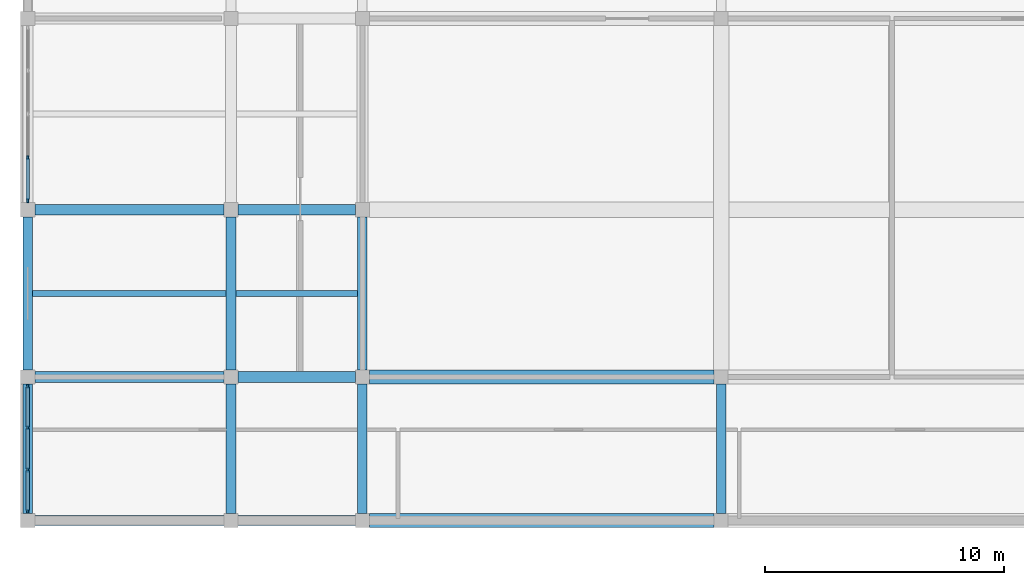
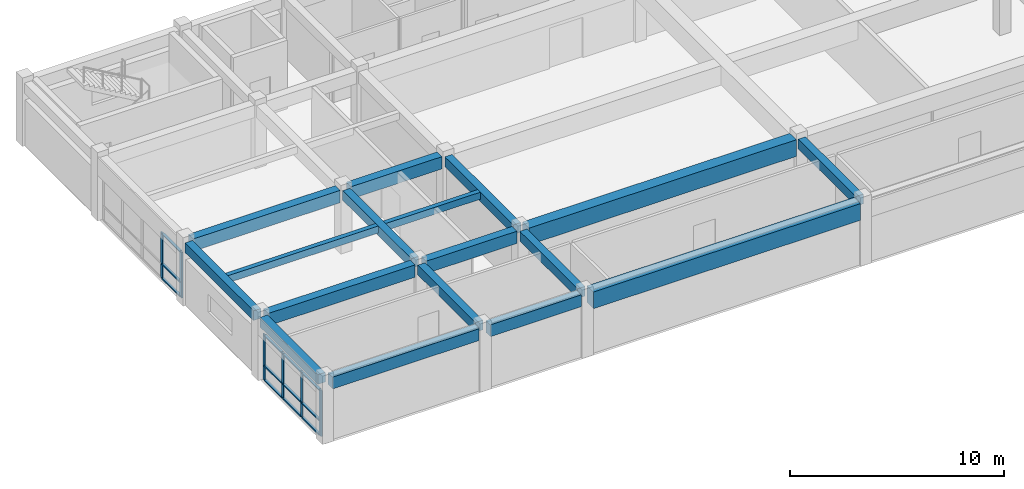
# One storey, part 3 of 66: 18 members, 17 beams, 2 elements without a shape of their own.
"""IFC4 building model written with IfcOpenShell, lengths in metres."""

from ifc_helpers import new_model, si_unit, direction, frame, origin, origin_2d, place, context, subcontext, project, spatial, rectangle, extrude, material, layer, layer_set, material_profile, profile_set, type_object, element, aggregate, save


model = new_model("IFC4")

# Units and contexts
model_context = context("Model", 3, precision=1e-05, world=origin(), true_north=direction((0.0, 1.0)))
body_context = subcontext(model_context, "Body", "Model", "MODEL_VIEW")
ifc_project = project(units=[si_unit("LENGTHUNIT", "METRE"), si_unit("AREAUNIT", "SQUARE_METRE"), si_unit("VOLUMEUNIT", "CUBIC_METRE"), si_unit("PLANEANGLEUNIT", "RADIAN"), si_unit("MASSUNIT", "GRAM", prefix="KILO")], contexts=[model_context])

# Site, building, storey
site_placement = place(None, origin())
site = spatial("IfcSite", under=ifc_project, at=site_placement, CompositionType="ELEMENT")
building_placement = place(site_placement, origin())
building = spatial("IfcBuilding", under=site, at=building_placement, Name="Naurynzar Civic Courthouse", CompositionType="ELEMENT")
storey_placement = place(building_placement, frame((0.0, 0.0, 14.39990234375)))
storey = spatial("IfcBuildingStorey", under=building, at=storey_placement, Name="L04", CompositionType="ELEMENT", Elevation=14.39990234375)

# Beams
ifc_material_1 = material(Name="Concrete C40/50", Category="concrete")
ifc_material_profile_1 = material_profile(ifc_material_1, rectangle(XDim=0.25, YDim=0.39990234375, at=origin_2d()), Name="RCB 250x400")
ifc_profile_set_1 = profile_set([ifc_material_profile_1], Name="Concrete C40/50")
beam_type_1 = type_object("IfcBeamType", Name="BM-JST-250x400", PredefinedType="JOIST", material=ifc_profile_set_1)
beam_1_placement = place(storey_placement, frame((6.199951171875, 13.5, 3.380126953125), z_axis=(1.0, 0.0, 0.0), x_axis=(0.0, 1.0, 0.0)))
element("IfcBeam", 1, at=beam_1_placement, inside=storey, type_object=beam_type_1, Name="V4 secondary rib 1958 L04", PredefinedType="JOIST", context=body_context, shape_type="SweptSolid", body=[
    extrude(rectangle(XDim=0.25, YDim=0.39990234375, at=origin_2d()), origin(), (0.0, 0.0, 1.0), 8.10009765625),
])
beam_2_placement = place(storey_placement, frame((14.699951171875, 13.5, 3.380126953125), z_axis=(1.0, 0.0, 0.0), x_axis=(0.0, 1.0, 0.0)))
element("IfcBeam", 2, at=beam_2_placement, inside=storey, type_object=beam_type_1, Name="V4 secondary rib 1959 L04", PredefinedType="JOIST", context=body_context, shape_type="SweptSolid", body=[
    extrude(rectangle(XDim=0.25, YDim=0.39990234375, at=origin_2d()), origin(), (0.0, 0.0, 1.0), 5.10009765625),
])
ifc_material_2 = material(Name="Concrete C40/50", Category="concrete")
ifc_material_profile_2 = material_profile(ifc_material_2, rectangle(XDim=0.60009765625, YDim=0.949951171875, at=origin_2d()), Name="PTB 600x950")
ifc_profile_set_2 = profile_set([ifc_material_profile_2], Name="Concrete C40/50")
beam_type_2 = type_object("IfcBeamType", Name="BM-PT-600x950", PredefinedType="T_BEAM", material=ifc_profile_set_2)
for number, where, z_axis, x_axis, name in (
    (3, (20.300048828125, 4.0, 3.10498046875), (1.0, 0.0, 0.0), (0.0, 1.0, 0.0), "V4 beam X-1913 L04"),
    (4, (20.300048828125, 10.0, 3.10498046875), (1.0, 0.0, 0.0), (0.0, 1.0, 0.0), "V4 beam X-1918 L04"),
):
    element("IfcBeam", number, at=place(storey_placement, frame(where, z_axis=z_axis, x_axis=x_axis)), inside=storey, type_object=beam_type_2, Name=name, PredefinedType="T_BEAM", context=body_context, shape_type="SweptSolid", body=[
        extrude(rectangle(XDim=0.60009765625, YDim=0.949951171875, at=origin_2d()), origin(), (0.0, 0.0, 1.0), 14.39990234375),
    ])
ifc_material_3 = material(Name="Concrete C40/50", Category="concrete")
ifc_material_profile_3 = material_profile(ifc_material_3, rectangle(XDim=0.39990234375, YDim=0.550048828125, at=origin_2d()), Name="RCB 400x550")
ifc_profile_set_3 = profile_set([ifc_material_profile_3], Name="Concrete C40/50")
beam_type_3 = type_object("IfcBeamType", Name="BM-RC-400x550", PredefinedType="BEAM", material=ifc_profile_set_3)
beam_3_placement = place(storey_placement, frame((6.0, 4.300048828125, 3.30517578125), z_axis=(0.0, 1.0, 0.0), x_axis=(-1.0, 0.0, 0.0)))
element("IfcBeam", 5, at=beam_3_placement, inside=storey, type_object=beam_type_3, Name="V4 girder Y-1935 L04", PredefinedType="BEAM", context=body_context, shape_type="SweptSolid", body=[
    extrude(rectangle(XDim=0.39990234375, YDim=0.550048828125, at=origin_2d()), origin(), (0.0, 0.0, 1.0), 5.39990234375),
])
beam_4_placement = place(storey_placement, frame((6.0, 10.300048828125, 3.30517578125), z_axis=(0.0, 1.0, 0.0), x_axis=(-1.0, 0.0, 0.0)))
element("IfcBeam", 6, at=beam_4_placement, inside=storey, type_object=beam_type_3, Name="V4 girder Y-1936 L04", PredefinedType="BEAM", context=body_context, shape_type="SweptSolid", body=[
    extrude(rectangle(XDim=0.39990234375, YDim=0.550048828125, at=origin_2d()), origin(), (0.0, 0.0, 1.0), 6.39990234375),
])
beam_5_placement = place(storey_placement, frame((14.5, 4.300048828125, 3.30517578125), z_axis=(0.0, 1.0, 0.0), x_axis=(-1.0, 0.0, 0.0)))
element("IfcBeam", 7, at=beam_5_placement, inside=storey, type_object=beam_type_3, Name="V4 girder Y-1939 L04", PredefinedType="BEAM", context=body_context, shape_type="SweptSolid", body=[
    extrude(rectangle(XDim=0.39990234375, YDim=0.550048828125, at=origin_2d()), origin(), (0.0, 0.0, 1.0), 5.39990234375),
])
beam_6_placement = place(storey_placement, frame((14.5, 10.300048828125, 3.30517578125), z_axis=(0.0, 1.0, 0.0), x_axis=(-1.0, 0.0, 0.0)))
element("IfcBeam", 8, at=beam_6_placement, inside=storey, type_object=beam_type_3, Name="V4 girder Y-1940 L04", PredefinedType="BEAM", context=body_context, shape_type="SweptSolid", body=[
    extrude(rectangle(XDim=0.39990234375, YDim=0.550048828125, at=origin_2d()), origin(), (0.0, 0.0, 1.0), 6.39990234375),
])
beam_7_placement = place(storey_placement, frame((20.0, 4.300048828125, 3.30517578125), z_axis=(0.0, 1.0, 0.0), x_axis=(-1.0, 0.0, 0.0)))
element("IfcBeam", 9, at=beam_7_placement, inside=storey, type_object=beam_type_3, Name="V4 girder Y-1943 L04", PredefinedType="BEAM", context=body_context, shape_type="SweptSolid", body=[
    extrude(rectangle(XDim=0.39990234375, YDim=0.550048828125, at=origin_2d()), origin(), (0.0, 0.0, 1.0), 5.39990234375),
])
beam_8_placement = place(storey_placement, frame((20.0, 10.300048828125, 3.30517578125), z_axis=(0.0, 1.0, 0.0), x_axis=(-1.0, 0.0, 0.0)))
element("IfcBeam", 10, at=beam_8_placement, inside=storey, type_object=beam_type_3, Name="V4 girder Y-1944 L04", PredefinedType="BEAM", context=body_context, shape_type="SweptSolid", body=[
    extrude(rectangle(XDim=0.39990234375, YDim=0.550048828125, at=origin_2d()), origin(), (0.0, 0.0, 1.0), 6.39990234375),
])
beam_9_placement = place(storey_placement, frame((35.0, 4.300048828125, 3.30517578125), z_axis=(0.0, 1.0, 0.0), x_axis=(-1.0, 0.0, 0.0)))
element("IfcBeam", 11, at=beam_9_placement, inside=storey, type_object=beam_type_3, Name="V4 girder Y-1947 L04", PredefinedType="BEAM", context=body_context, shape_type="SweptSolid", body=[
    extrude(rectangle(XDim=0.39990234375, YDim=0.550048828125, at=origin_2d()), origin(), (0.0, 0.0, 1.0), 5.39990234375),
])
ifc_material_4 = material(Name="Concrete C40/50", Category="concrete")
ifc_material_profile_4 = material_profile(ifc_material_4, rectangle(XDim=0.425048828125, YDim=0.675048828125, at=origin_2d()), Name="RCB 425x675")
ifc_profile_set_4 = profile_set([ifc_material_profile_4], Name="Concrete C40/50")
beam_type_4 = type_object("IfcBeamType", Name="BM-RC-425x675", PredefinedType="SPANDREL", material=ifc_profile_set_4)
beam_10_placement = place(storey_placement, frame((6.300048828125, 4.0, 3.24267578125), z_axis=(1.0, 0.0, 0.0), x_axis=(0.0, 1.0, 0.0)))
element("IfcBeam", 12, at=beam_10_placement, inside=storey, type_object=beam_type_4, Name="V4 beam X-1911 L04", PredefinedType="SPANDREL", context=body_context, shape_type="SweptSolid", body=[
    extrude(rectangle(XDim=0.425048828125, YDim=0.675048828125, at=origin_2d()), origin(), (0.0, 0.0, 1.0), 7.89990234375),
])
beam_11_placement = place(storey_placement, frame((14.800048828125, 4.0, 3.24267578125), z_axis=(1.0, 0.0, 0.0), x_axis=(0.0, 1.0, 0.0)))
element("IfcBeam", 13, at=beam_11_placement, inside=storey, type_object=beam_type_4, Name="V4 beam X-1912 L04", PredefinedType="SPANDREL", context=body_context, shape_type="SweptSolid", body=[
    extrude(rectangle(XDim=0.425048828125, YDim=0.675048828125, at=origin_2d()), origin(), (0.0, 0.0, 1.0), 4.89990234375),
])
ifc_material_5 = material(Name="Concrete C40/50", Category="concrete")
ifc_material_profile_5 = material_profile(ifc_material_5, rectangle(XDim=0.449951171875, YDim=0.699951171875, at=origin_2d()), Name="RCB 450x700")
ifc_profile_set_5 = profile_set([ifc_material_profile_5], Name="Concrete C40/50")
beam_type_5 = type_object("IfcBeamType", Name="BM-RC-450x700", PredefinedType="BEAM", material=ifc_profile_set_5)
beam_12_placement = place(storey_placement, frame((6.300048828125, 10.0, 3.22998046875), z_axis=(1.0, 0.0, 0.0), x_axis=(0.0, 1.0, 0.0)))
element("IfcBeam", 14, at=beam_12_placement, inside=storey, type_object=beam_type_5, Name="V4 beam X-1916 L04", PredefinedType="BEAM", context=body_context, shape_type="SweptSolid", body=[
    extrude(rectangle(XDim=0.449951171875, YDim=0.699951171875, at=origin_2d()), origin(), (0.0, 0.0, 1.0), 7.89990234375),
])
beam_13_placement = place(storey_placement, frame((14.800048828125, 10.0, 3.22998046875), z_axis=(1.0, 0.0, 0.0), x_axis=(0.0, 1.0, 0.0)))
element("IfcBeam", 15, at=beam_13_placement, inside=storey, type_object=beam_type_5, Name="V4 beam X-1917 L04", PredefinedType="BEAM", context=body_context, shape_type="SweptSolid", body=[
    extrude(rectangle(XDim=0.449951171875, YDim=0.699951171875, at=origin_2d()), origin(), (0.0, 0.0, 1.0), 4.89990234375),
])
beam_14_placement = place(storey_placement, frame((6.300048828125, 17.0, 3.22998046875), z_axis=(1.0, 0.0, 0.0), x_axis=(0.0, 1.0, 0.0)))
element("IfcBeam", 16, at=beam_14_placement, inside=storey, type_object=beam_type_5, Name="V4 beam X-1921 L04", PredefinedType="BEAM", context=body_context, shape_type="SweptSolid", body=[
    extrude(rectangle(XDim=0.449951171875, YDim=0.699951171875, at=origin_2d()), origin(), (0.0, 0.0, 1.0), 7.89990234375),
])
beam_15_placement = place(storey_placement, frame((14.800048828125, 17.0, 3.22998046875), z_axis=(1.0, 0.0, 0.0), x_axis=(0.0, 1.0, 0.0)))
element("IfcBeam", 17, at=beam_15_placement, inside=storey, type_object=beam_type_5, Name="V4 beam X-1922 L04", PredefinedType="BEAM", context=body_context, shape_type="SweptSolid", body=[
    extrude(rectangle(XDim=0.449951171875, YDim=0.699951171875, at=origin_2d()), origin(), (0.0, 0.0, 1.0), 4.89990234375),
])

# Curtain wall, members
ifc_material_6 = material(Name="Aluminium 6063-T6", Category="aluminium")
ifc_layer = layer(ifc_material_6, 0.159912109375)
ifc_layer_set = layer_set([ifc_layer], Name="CW-UNIT-1800")
curtain_wall_type = type_object("IfcCurtainWallType", Name="CW-UNIT-1800", PredefinedType="NOTDEFINED", material=ifc_layer_set)
curtain_wall_1_placement = place(storey_placement, origin())
curtain_wall_1 = element("IfcCurtainWall", 18, at=curtain_wall_1_placement, inside=storey, type_object=curtain_wall_type, Name="V4 unitised curtain wall 80 L04", PredefinedType="NOTDEFINED")
ifc_material_7 = material(Name="Aluminium 6063-T6", Category="aluminium")
ifc_material_profile_6 = material_profile(ifc_material_7, rectangle(XDim=0.070068359375, YDim=0.179931640625, at=origin_2d()), Name="ALU MULLION 70x180")
ifc_profile_set_6 = profile_set([ifc_material_profile_6], Name="Aluminium 6063-T6")
member_type_1 = type_object("IfcMemberType", Name="CWM-70x180", PredefinedType="MULLION", material=ifc_profile_set_6)
member_1_placement = place(storey_placement, frame((6.0, 4.385009765625, 0.0), z_axis=(0.0, 0.0, 1.0), x_axis=(-1.0, 0.0, 0.0)))
member_1 = element("IfcMember", 19, at=member_1_placement, type_object=member_type_1, Name="CW-02 mullion 1", PredefinedType="MULLION", context=body_context, shape_type="SweptSolid", body=[
    extrude(rectangle(XDim=0.070068359375, YDim=0.179931640625, at=origin_2d()), origin(), (0.0, 0.0, 1.0), 2.610107421875),
])
member_2_placement = place(storey_placement, frame((6.0, 6.11669921875, 0.0), z_axis=(0.0, 0.0, 1.0), x_axis=(-1.0, 0.0, 0.0)))
member_2 = element("IfcMember", 20, at=member_2_placement, type_object=member_type_1, Name="CW-02 mullion 2", PredefinedType="MULLION", context=body_context, shape_type="SweptSolid", body=[
    extrude(rectangle(XDim=0.070068359375, YDim=0.179931640625, at=origin_2d()), origin(), (0.0, 0.0, 1.0), 2.610107421875),
])
member_3_placement = place(storey_placement, frame((6.0, 7.88330078125, 0.0), z_axis=(0.0, 0.0, 1.0), x_axis=(-1.0, 0.0, 0.0)))
member_3 = element("IfcMember", 21, at=member_3_placement, type_object=member_type_1, Name="CW-02 mullion 3", PredefinedType="MULLION", context=body_context, shape_type="SweptSolid", body=[
    extrude(rectangle(XDim=0.070068359375, YDim=0.179931640625, at=origin_2d()), origin(), (0.0, 0.0, 1.0), 2.610107421875),
])
member_4_placement = place(storey_placement, frame((6.0, 9.614990234375, 0.0), z_axis=(0.0, 0.0, 1.0), x_axis=(-1.0, 0.0, 0.0)))
member_4 = element("IfcMember", 22, at=member_4_placement, type_object=member_type_1, Name="CW-02 mullion 4", PredefinedType="MULLION", context=body_context, shape_type="SweptSolid", body=[
    extrude(rectangle(XDim=0.070068359375, YDim=0.179931640625, at=origin_2d()), origin(), (0.0, 0.0, 1.0), 2.610107421875),
])

curtain_wall_2_placement = place(storey_placement, origin())
curtain_wall_2 = element("IfcCurtainWall", 23, at=curtain_wall_2_placement, inside=storey, type_object=curtain_wall_type, Name="V4 unitised curtain wall 81 L04", PredefinedType="NOTDEFINED")
member_5_placement = place(storey_placement, frame((6.0, 17.385009765625, 0.0), z_axis=(0.0, 0.0, 1.0), x_axis=(-1.0, 0.0, 0.0)))
member_5 = element("IfcMember", 24, at=member_5_placement, type_object=member_type_1, Name="CW-02 mullion 1", PredefinedType="MULLION", context=body_context, shape_type="SweptSolid", body=[
    extrude(rectangle(XDim=0.070068359375, YDim=0.179931640625, at=origin_2d()), origin(), (0.0, 0.0, 1.0), 2.610107421875),
])
member_6_placement = place(storey_placement, frame((6.0, 19.175048828125, 0.0), z_axis=(0.0, 0.0, 1.0), x_axis=(-1.0, 0.0, 0.0)))
member_6 = element("IfcMember", 25, at=member_6_placement, type_object=member_type_1, Name="CW-02 mullion 2", PredefinedType="MULLION", context=body_context, shape_type="SweptSolid", body=[
    extrude(rectangle(XDim=0.070068359375, YDim=0.179931640625, at=origin_2d()), origin(), (0.0, 0.0, 1.0), 2.610107421875),
])

# Member
ifc_material_8 = material(Name="Aluminium 6063-T6", Category="aluminium")
ifc_material_profile_7 = material_profile(ifc_material_8, rectangle(XDim=0.1298828125, YDim=0.070068359375, at=origin_2d()), Name="ALU TRANSOM 70x130")
ifc_profile_set_7 = profile_set([ifc_material_profile_7], Name="Aluminium 6063-T6")
member_type_2 = type_object("IfcMemberType", Name="CWT-70x130", PredefinedType="USERDEFINED", material=ifc_profile_set_7)
member_7_placement = place(storey_placement, frame((6.0, 4.419921875, 0.03515625), z_axis=(0.0, 1.0, 0.0), x_axis=(-1.0, 0.0, 0.0)))
member_7 = element("IfcMember", 26, at=member_7_placement, type_object=member_type_2, Name="CW-02 transom 1.1", ObjectType="TRANSOM", PredefinedType="USERDEFINED", context=body_context, shape_type="SweptSolid", body=[
    extrude(rectangle(XDim=0.1298828125, YDim=0.070068359375, at=origin_2d()), origin(), (0.0, 0.0, 1.0), 1.661865234375),
])

member_8_placement = place(storey_placement, frame((6.0, 4.419921875, 0.85009765625), z_axis=(0.0, 1.0, 0.0), x_axis=(-1.0, 0.0, 0.0)))
member_8 = element("IfcMember", 27, at=member_8_placement, type_object=member_type_2, Name="CW-02 transom 1.2", ObjectType="TRANSOM", PredefinedType="USERDEFINED", context=body_context, shape_type="SweptSolid", body=[
    extrude(rectangle(XDim=0.1298828125, YDim=0.070068359375, at=origin_2d()), origin(), (0.0, 0.0, 1.0), 1.661865234375),
])

member_9_placement = place(storey_placement, frame((6.0, 4.419921875, 2.5751953125), z_axis=(0.0, 1.0, 0.0), x_axis=(-1.0, 0.0, 0.0)))
member_9 = element("IfcMember", 28, at=member_9_placement, type_object=member_type_2, Name="CW-02 transom 1.3", ObjectType="TRANSOM", PredefinedType="USERDEFINED", context=body_context, shape_type="SweptSolid", body=[
    extrude(rectangle(XDim=0.1298828125, YDim=0.070068359375, at=origin_2d()), origin(), (0.0, 0.0, 1.0), 1.661865234375),
])

member_10_placement = place(storey_placement, frame((6.0, 6.151611328125, 0.03515625), z_axis=(0.0, 1.0, 0.0), x_axis=(-1.0, 0.0, 0.0)))
member_10 = element("IfcMember", 29, at=member_10_placement, type_object=member_type_2, Name="CW-02 transom 2.1", ObjectType="TRANSOM", PredefinedType="USERDEFINED", context=body_context, shape_type="SweptSolid", body=[
    extrude(rectangle(XDim=0.1298828125, YDim=0.070068359375, at=origin_2d()), origin(), (0.0, 0.0, 1.0), 1.69677734375),
])

member_11_placement = place(storey_placement, frame((6.0, 6.151611328125, 0.85009765625), z_axis=(0.0, 1.0, 0.0), x_axis=(-1.0, 0.0, 0.0)))
member_11 = element("IfcMember", 30, at=member_11_placement, type_object=member_type_2, Name="CW-02 transom 2.2", ObjectType="TRANSOM", PredefinedType="USERDEFINED", context=body_context, shape_type="SweptSolid", body=[
    extrude(rectangle(XDim=0.1298828125, YDim=0.070068359375, at=origin_2d()), origin(), (0.0, 0.0, 1.0), 1.69677734375),
])

member_12_placement = place(storey_placement, frame((6.0, 6.151611328125, 2.5751953125), z_axis=(0.0, 1.0, 0.0), x_axis=(-1.0, 0.0, 0.0)))
member_12 = element("IfcMember", 31, at=member_12_placement, type_object=member_type_2, Name="CW-02 transom 2.3", ObjectType="TRANSOM", PredefinedType="USERDEFINED", context=body_context, shape_type="SweptSolid", body=[
    extrude(rectangle(XDim=0.1298828125, YDim=0.070068359375, at=origin_2d()), origin(), (0.0, 0.0, 1.0), 1.69677734375),
])

member_13_placement = place(storey_placement, frame((6.0, 7.918212890625, 0.03515625), z_axis=(0.0, 1.0, 0.0), x_axis=(-1.0, 0.0, 0.0)))
member_13 = element("IfcMember", 32, at=member_13_placement, type_object=member_type_2, Name="CW-02 transom 3.1", ObjectType="TRANSOM", PredefinedType="USERDEFINED", context=body_context, shape_type="SweptSolid", body=[
    extrude(rectangle(XDim=0.1298828125, YDim=0.070068359375, at=origin_2d()), origin(), (0.0, 0.0, 1.0), 1.661865234375),
])

member_14_placement = place(storey_placement, frame((6.0, 7.918212890625, 0.85009765625), z_axis=(0.0, 1.0, 0.0), x_axis=(-1.0, 0.0, 0.0)))
member_14 = element("IfcMember", 33, at=member_14_placement, type_object=member_type_2, Name="CW-02 transom 3.2", ObjectType="TRANSOM", PredefinedType="USERDEFINED", context=body_context, shape_type="SweptSolid", body=[
    extrude(rectangle(XDim=0.1298828125, YDim=0.070068359375, at=origin_2d()), origin(), (0.0, 0.0, 1.0), 1.661865234375),
])

member_15_placement = place(storey_placement, frame((6.0, 7.918212890625, 2.5751953125), z_axis=(0.0, 1.0, 0.0), x_axis=(-1.0, 0.0, 0.0)))
member_15 = element("IfcMember", 34, at=member_15_placement, type_object=member_type_2, Name="CW-02 transom 3.3", ObjectType="TRANSOM", PredefinedType="USERDEFINED", context=body_context, shape_type="SweptSolid", body=[
    extrude(rectangle(XDim=0.1298828125, YDim=0.070068359375, at=origin_2d()), origin(), (0.0, 0.0, 1.0), 1.661865234375),
])

aggregate(curtain_wall_1, [member_1, member_2, member_3, member_4, member_7, member_8, member_9, member_10, member_11, member_12, member_13, member_14, member_15])

member_16_placement = place(storey_placement, frame((6.0, 17.419921875, 0.03515625), z_axis=(0.0, 1.0, 0.0), x_axis=(-1.0, 0.0, 0.0)))
member_16 = element("IfcMember", 35, at=member_16_placement, type_object=member_type_2, Name="CW-02 transom 1.1", ObjectType="TRANSOM", PredefinedType="USERDEFINED", context=body_context, shape_type="SweptSolid", body=[
    extrude(rectangle(XDim=0.1298828125, YDim=0.070068359375, at=origin_2d()), origin(), (0.0, 0.0, 1.0), 1.719970703125),
])

member_17_placement = place(storey_placement, frame((6.0, 17.419921875, 0.85009765625), z_axis=(0.0, 1.0, 0.0), x_axis=(-1.0, 0.0, 0.0)))
member_17 = element("IfcMember", 36, at=member_17_placement, type_object=member_type_2, Name="CW-02 transom 1.2", ObjectType="TRANSOM", PredefinedType="USERDEFINED", context=body_context, shape_type="SweptSolid", body=[
    extrude(rectangle(XDim=0.1298828125, YDim=0.070068359375, at=origin_2d()), origin(), (0.0, 0.0, 1.0), 1.719970703125),
])

member_18_placement = place(storey_placement, frame((6.0, 17.419921875, 2.5751953125), z_axis=(0.0, 1.0, 0.0), x_axis=(-1.0, 0.0, 0.0)))
member_18 = element("IfcMember", 37, at=member_18_placement, type_object=member_type_2, Name="CW-02 transom 1.3", ObjectType="TRANSOM", PredefinedType="USERDEFINED", context=body_context, shape_type="SweptSolid", body=[
    extrude(rectangle(XDim=0.1298828125, YDim=0.070068359375, at=origin_2d()), origin(), (0.0, 0.0, 1.0), 1.719970703125),
])

aggregate(curtain_wall_2, [member_5, member_6, member_16, member_17, member_18])

save(model, "model.ifc")
